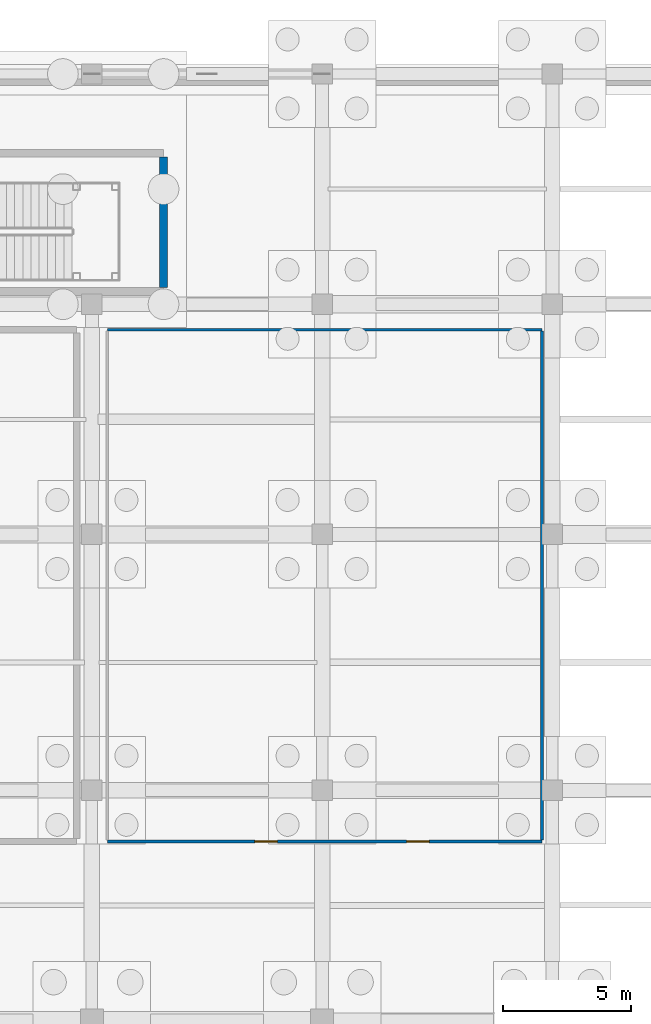
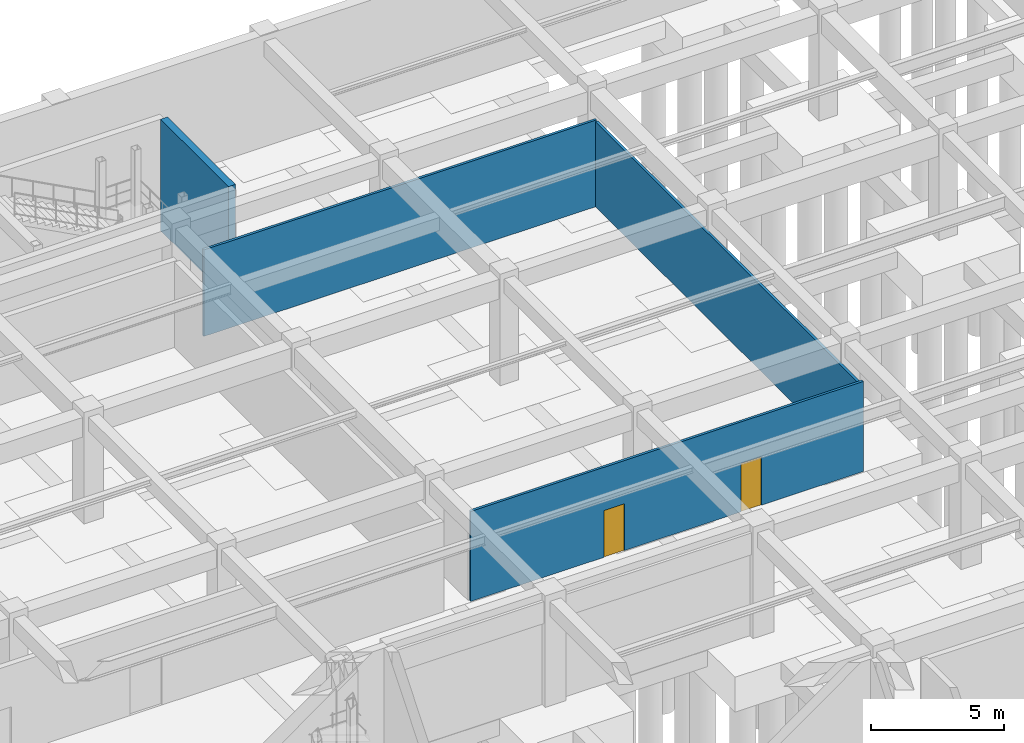
# One storey, part 50 of 62: 4 walls, 2 doors, 2 openings.
"""IFC4 building model written with IfcOpenShell, lengths in metres."""

from ifc_helpers import new_model, si_unit, direction, frame, frame_2d, origin, place, context, subcontext, project, spatial, rectangle, extrude, material, layer, layer_set, type_object, element, fill, save


model = new_model("IFC4")

# Units and contexts
model_context = context("Model", 3, precision=1e-05, world=origin(), true_north=direction((0.0, 1.0)))
body_context = subcontext(model_context, "Body", "Model", "MODEL_VIEW")
ifc_project = project(units=[si_unit("LENGTHUNIT", "METRE"), si_unit("AREAUNIT", "SQUARE_METRE"), si_unit("VOLUMEUNIT", "CUBIC_METRE"), si_unit("PLANEANGLEUNIT", "RADIAN"), si_unit("MASSUNIT", "GRAM", prefix="KILO")], contexts=[model_context])

# Site, building, storey
site_placement = place(None, origin())
site = spatial("IfcSite", under=ifc_project, at=site_placement, CompositionType="ELEMENT")
building_placement = place(site_placement, origin())
building = spatial("IfcBuilding", under=site, at=building_placement, Name="Miravela Opera House", CompositionType="ELEMENT")
storey_placement = place(building_placement, frame((0.0, 0.0, -5.10009765625)))
storey = spatial("IfcBuildingStorey", under=building, at=storey_placement, Name="B01", CompositionType="ELEMENT", Elevation=-5.10009765625)

# Wall, openings, doors
ifc_material_1 = material(Name="Double-layer acoustic gypsum partition")
ifc_layer_1 = layer(ifc_material_1, 0.110107421875)
ifc_layer_set_1 = layer_set([ifc_layer_1])
wall_type_1 = type_object("IfcWallType", Name="ARC-PT-110", PredefinedType="PARTITIONING", material=ifc_layer_set_1)
wall_1_placement = place(storey_placement, frame((126.60009765625, 82.0, 0.0), z_axis=(0.0, 0.0, 1.0), x_axis=(1.0, 0.0, 0.0)))
wall_1 = element("IfcWall", 1, at=wall_1_placement, inside=storey, type_object=wall_type_1, Name="Costume and Wardrobe Archive Store Partition South", PredefinedType="PARTITIONING", context=body_context, shape_type="SweptSolid", body=[
    extrude(rectangle(XDim=17.0, YDim=0.110107421875, at=frame_2d((8.5, 0.0))), origin(), (0.0, 0.0, 1.0), 4.1201171875),
])
opening_1_placement = place(wall_1_placement, frame((5.76806640625, 0.0, 0.0)))
opening_1 = element("IfcOpeningElement", 2, at=opening_1_placement, cuts=wall_1, Name="Opening ID-08", PredefinedType="OPENING", context=body_context, shape_type="SweptSolid", body=[
    extrude(rectangle(XDim=0.8798828125, YDim=2.139892578125, at=frame_2d((0.43994140625, 1.06982421875))), frame((0.0, 0.06494140625, 0.0), z_axis=(0.0, -1.0, 0.0), x_axis=(1.0, 0.0, 0.0)), (0.0, 0.0, 1.0), 0.130126953125),
])
opening_2_placement = place(wall_1_placement, frame((11.699951171875, 0.0, 0.0)))
opening_2 = element("IfcOpeningElement", 3, at=opening_2_placement, cuts=wall_1, Name="Opening ID-09", PredefinedType="OPENING", context=body_context, shape_type="SweptSolid", body=[
    extrude(rectangle(XDim=0.8798828125, YDim=2.219970703125, at=frame_2d((0.43994140625, 1.10986328125))), frame((0.0, 0.06494140625, 0.0), z_axis=(0.0, -1.0, 0.0), x_axis=(1.0, 0.0, 0.0)), (0.0, 0.0, 1.0), 0.130126953125),
])
ifc_material_2 = material(Name="Hardwood acoustic timber door leaf", Category="wood")
door_type_1 = type_object("IfcDoorType", Name="ARC-IDR-88X214", OperationType="NOTDEFINED", PredefinedType="DOOR", material=ifc_material_2)
door_1_placement = place(opening_1_placement, frame((0.8798828125, 0.0, 0.0), z_axis=(0.0, 0.0, 1.0), x_axis=(-1.0, 0.0, 0.0)))
door_1 = element("IfcDoor", 4, at=door_1_placement, inside=storey, type_object=door_type_1, Name="Costume and Wardrobe Archive Store Entry Door IDR-B01-0084", OperationType="SINGLE_SWING_LEFT", OverallHeight=2.139892578125, OverallWidth=0.8798828125, PredefinedType="DOOR", context=body_context, shape_type="SweptSolid", body=[
    extrude(rectangle(XDim=0.8798828125, YDim=2.139892578125, at=frame_2d((0.43994140625, 1.06982421875))), frame((0.0, 0.02490234375, 0.0), z_axis=(0.0, -1.0, 0.0), x_axis=(1.0, 0.0, 0.0)), (0.0, 0.0, 1.0), 0.050048828125),
])
fill(opening_1, door_1)
door_type_2 = type_object("IfcDoorType", Name="ARC-IDR-88X222", OperationType="NOTDEFINED", PredefinedType="DOOR", material=ifc_material_2)
door_2_placement = place(opening_2_placement, frame((0.8798828125, 0.0, 0.0), z_axis=(0.0, 0.0, 1.0), x_axis=(-1.0, 0.0, 0.0)))
door_2 = element("IfcDoor", 5, at=door_2_placement, inside=storey, type_object=door_type_2, Name="Costume and Wardrobe Archive Store Secondary Exit Door IDR-B01-0085", OperationType="SINGLE_SWING_RIGHT", OverallHeight=2.219970703125, OverallWidth=0.8798828125, PredefinedType="DOOR", context=body_context, shape_type="SweptSolid", body=[
    extrude(rectangle(XDim=0.8798828125, YDim=2.219970703125, at=frame_2d((0.43994140625, 1.10986328125))), frame((0.0, 0.02490234375, 0.0), z_axis=(0.0, -1.0, 0.0), x_axis=(1.0, 0.0, 0.0)), (0.0, 0.0, 1.0), 0.050048828125),
])
fill(opening_2, door_2)

# Walls
wall_2_placement = place(storey_placement, frame((126.60009765625, 102.0, 0.0), z_axis=(0.0, 0.0, 1.0), x_axis=(1.0, 0.0, 0.0)))
element("IfcWall", 6, at=wall_2_placement, inside=storey, type_object=wall_type_1, Name="Costume and Wardrobe Archive Store Partition North", PredefinedType="PARTITIONING", context=body_context, shape_type="SweptSolid", body=[
    extrude(rectangle(XDim=17.0, YDim=0.110107421875, at=frame_2d((8.5, 0.0))), origin(), (0.0, 0.0, 1.0), 3.960205078125),
])
wall_3_placement = place(storey_placement, frame((143.60009765625, 82.054931640625, 0.0), z_axis=(0.0, 0.0, 1.0), x_axis=(0.0, 1.0, 0.0)))
element("IfcWall", 7, at=wall_3_placement, inside=storey, type_object=wall_type_1, Name="Costume and Wardrobe Archive Store Partition East", PredefinedType="PARTITIONING", context=body_context, shape_type="SweptSolid", body=[
    extrude(rectangle(XDim=19.89013671875, YDim=0.110107421875, at=frame_2d((9.945068359375, 0.0))), origin(), (0.0, 0.0, 1.0), 3.900146484375),
])
ifc_material_3 = material(Name="Concrete C35/45", Category="concrete")
ifc_layer_2 = layer(ifc_material_3, 0.300048828125)
ifc_layer_set_2 = layer_set([ifc_layer_2])
wall_type_2 = type_object("IfcWallType", Name="STR-WALL-WING-300", PredefinedType="SHEAR", material=ifc_layer_set_2)
wall_4_placement = place(storey_placement, frame((128.800048828125, 103.64990234375, 0.0), z_axis=(0.0, 0.0, 1.0), x_axis=(0.0, 1.0, 0.0)))
element("IfcWall", 8, at=wall_4_placement, inside=storey, type_object=wall_type_2, Name="Core ST-09 Shear Wall East (B01)", PredefinedType="SHEAR", context=body_context, shape_type="SweptSolid", body=[
    extrude(rectangle(XDim=5.10009765625, YDim=0.300048828125, at=frame_2d((2.550048828125, 0.0))), origin(), (0.0, 0.0, 1.0), 5.10009765625),
])

save(model, "model.ifc")
